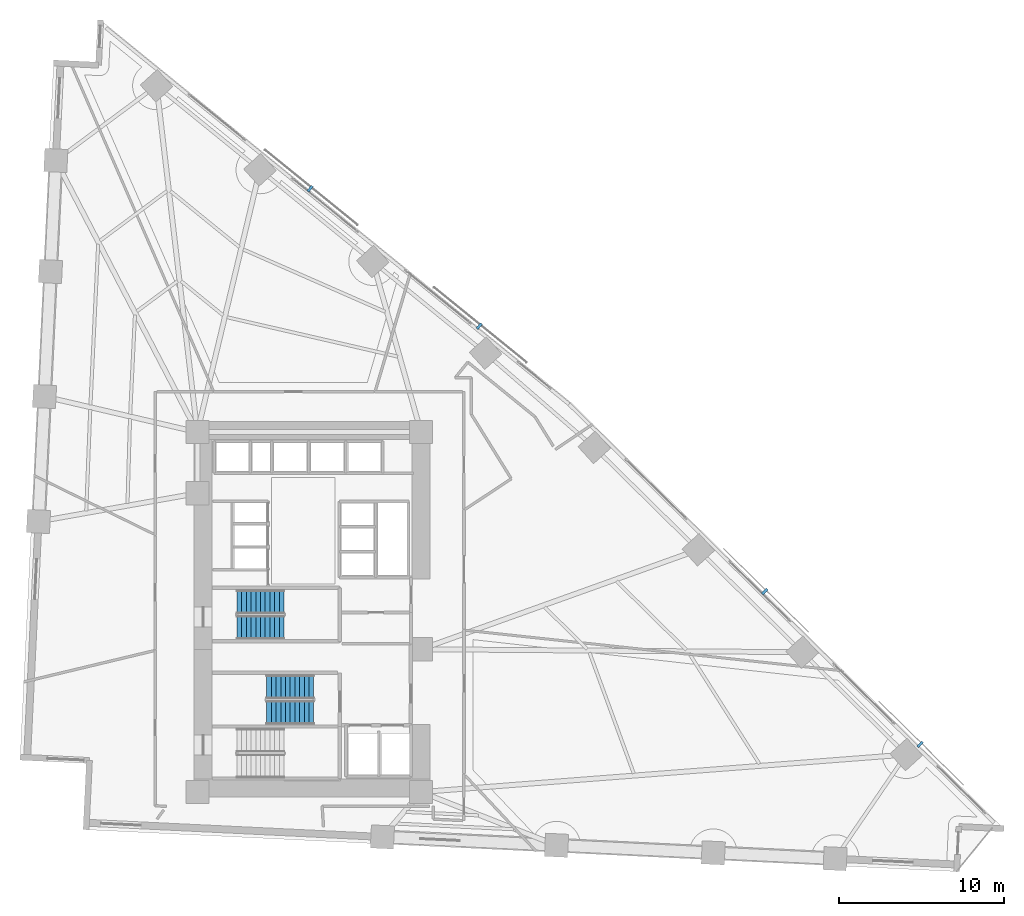
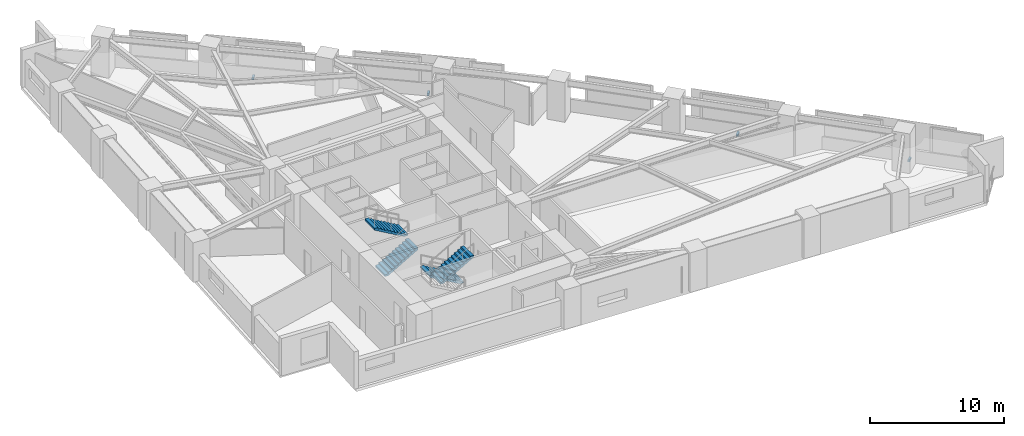
# One storey, part 15 of 17: 4 discrete accessories, 4 stair flights, 2 elements without a shape of their own.
"""IFC4 building model written with IfcOpenShell, lengths in metres."""

from ifc_helpers import new_model, si_unit, direction, frame, origin, origin_2d, place, context, subcontext, project, spatial, polyline, rectangle, outline, extrude, material, type_object, element, aggregate, save


model = new_model("IFC4")

# Units and contexts
model_context = context("Model", 3, precision=1e-05, world=origin(), true_north=direction((0.0, 1.0)))
body_context = subcontext(model_context, "Body", "Model", "MODEL_VIEW")
ifc_project = project(units=[si_unit("LENGTHUNIT", "METRE"), si_unit("AREAUNIT", "SQUARE_METRE"), si_unit("VOLUMEUNIT", "CUBIC_METRE"), si_unit("PLANEANGLEUNIT", "RADIAN"), si_unit("MASSUNIT", "GRAM", prefix="KILO")], contexts=[model_context])

# Site, building, storey
site_placement = place(None, origin())
site = spatial("IfcSite", under=ifc_project, at=site_placement, CompositionType="ELEMENT")
building_placement = place(site_placement, origin())
building = spatial("IfcBuilding", under=site, at=building_placement, Name="Narakoshi Arena Tower", CompositionType="ELEMENT")
storey_placement = place(building_placement, frame((0.0, 0.0, 48.300048828125)))
storey = spatial("IfcBuildingStorey", under=building, at=storey_placement, Name="L12", CompositionType="ELEMENT", Elevation=48.300048828125)

# Stair, stair flights
ifc_material_1 = material(Name="Concrete C45/55", Category="concrete")
stair_type = type_object("IfcStairType", Name="STR-CORE-360", PredefinedType="TWO_STRAIGHT_RUN_STAIR", material=ifc_material_1)
stair_1_placement = place(storey_placement, origin())
stair_1 = element("IfcStair", 1, at=stair_1_placement, inside=storey, type_object=stair_type, Name="L12 Core Escape Stair ST2", PredefinedType="TWO_STRAIGHT_RUN_STAIR")
ifc_material_2 = material(Name="Precast concrete C45/55", Category="concrete")
stair_flight_type = type_object("IfcStairFlightType", Name="FLT-145-160", PredefinedType="STRAIGHT", material=ifc_material_2)
stair_flight_1_placement = place(storey_placement, frame((79.050048828125, 41.074951171875, 0.0), z_axis=(0.0, 0.0, 1.0), x_axis=(-1.0, 0.0, 0.0)))
stair_flight_1 = element("IfcStairFlight", 2, at=stair_flight_1_placement, type_object=stair_flight_type, Name="ST2 flight 1", NumberOfRisers=11, NumberOfTreads=10, PredefinedType="STRAIGHT", RiserHeight=0.163636364, TreadLength=0.285, context=body_context, shape_type="SweptSolid", body=[
    extrude(outline(polyline([(0.0, 0.0), (0.0, 0.16357421875), (0.284912109375, 0.16357421875), (0.284912109375, 0.327392578125), (0.570068359375, 0.327392578125), (0.570068359375, 0.490966796875), (0.85498046875, 0.490966796875), (0.85498046875, 0.654541015625), (1.139892578125, 0.654541015625), (1.139892578125, 0.818115234375), (1.425048828125, 0.818115234375), (1.425048828125, 0.98193359375), (1.7099609375, 0.98193359375), (1.7099609375, 1.1455078125), (1.9951171875, 1.1455078125), (1.9951171875, 1.30908203125), (2.280029296875, 1.30908203125), (2.280029296875, 1.47265625), (2.56494140625, 1.47265625), (2.56494140625, 1.636474609375), (2.85009765625, 1.636474609375), (2.85009765625, 1.800048828125), (2.85009765625, 1.463623046875), (0.301025390625, 0.0), (0.0, 0.0)])), frame((0.0, 0.72509765625, 0.0), z_axis=(0.0, -1.0, 0.0), x_axis=(1.0, 0.0, 0.0)), (0.0, 0.0, 1.0), 1.449951171875),
])
stair_flight_2_placement = place(storey_placement, frame((76.199951171875, 39.52490234375, 1.800048828125), z_axis=(0.0, 0.0, 1.0), x_axis=(1.0, 0.0, 0.0)))
stair_flight_2 = element("IfcStairFlight", 3, at=stair_flight_2_placement, type_object=stair_flight_type, Name="ST2 flight 2", NumberOfRisers=11, NumberOfTreads=10, PredefinedType="STRAIGHT", RiserHeight=0.163636364, TreadLength=0.285, context=body_context, shape_type="SweptSolid", body=[
    extrude(outline(polyline([(0.0, 0.0), (0.0, 0.16357421875), (0.284912109375, 0.16357421875), (0.284912109375, 0.327392578125), (0.570068359375, 0.327392578125), (0.570068359375, 0.490966796875), (0.85498046875, 0.490966796875), (0.85498046875, 0.654541015625), (1.139892578125, 0.654541015625), (1.139892578125, 0.818115234375), (1.425048828125, 0.818115234375), (1.425048828125, 0.98193359375), (1.7099609375, 0.98193359375), (1.7099609375, 1.1455078125), (1.9951171875, 1.1455078125), (1.9951171875, 1.30908203125), (2.280029296875, 1.30908203125), (2.280029296875, 1.47265625), (2.56494140625, 1.47265625), (2.56494140625, 1.636474609375), (2.85009765625, 1.636474609375), (2.85009765625, 1.800048828125), (2.85009765625, 1.463623046875), (0.301025390625, 0.0), (0.0, 0.0)])), frame((0.0, 0.72509765625, 0.0), z_axis=(0.0, -1.0, 0.0), x_axis=(1.0, 0.0, 0.0)), (0.0, 0.0, 1.0), 1.449951171875),
])
aggregate(stair_1, [stair_flight_1, stair_flight_2])

stair_2_placement = place(storey_placement, origin())
stair_2 = element("IfcStair", 4, at=stair_2_placement, inside=storey, type_object=stair_type, Name="L12 Core Escape Stair ST3", PredefinedType="TWO_STRAIGHT_RUN_STAIR")
stair_flight_3_placement = place(storey_placement, frame((74.39990234375, 44.675048828125, 0.0), z_axis=(0.0, 0.0, 1.0), x_axis=(1.0, 0.0, 0.0)))
stair_flight_3 = element("IfcStairFlight", 5, at=stair_flight_3_placement, type_object=stair_flight_type, Name="ST3 flight 1", NumberOfRisers=11, NumberOfTreads=10, PredefinedType="STRAIGHT", RiserHeight=0.163636364, TreadLength=0.285, context=body_context, shape_type="SweptSolid", body=[
    extrude(outline(polyline([(0.0, 0.0), (0.0, 0.16357421875), (0.284912109375, 0.16357421875), (0.284912109375, 0.327392578125), (0.570068359375, 0.327392578125), (0.570068359375, 0.490966796875), (0.85498046875, 0.490966796875), (0.85498046875, 0.654541015625), (1.139892578125, 0.654541015625), (1.139892578125, 0.818115234375), (1.425048828125, 0.818115234375), (1.425048828125, 0.98193359375), (1.7099609375, 0.98193359375), (1.7099609375, 1.1455078125), (1.9951171875, 1.1455078125), (1.9951171875, 1.30908203125), (2.280029296875, 1.30908203125), (2.280029296875, 1.47265625), (2.56494140625, 1.47265625), (2.56494140625, 1.636474609375), (2.85009765625, 1.636474609375), (2.85009765625, 1.800048828125), (2.85009765625, 1.463623046875), (0.301025390625, 0.0), (0.0, 0.0)])), frame((0.0, 0.72509765625, 0.0), z_axis=(0.0, -1.0, 0.0), x_axis=(1.0, 0.0, 0.0)), (0.0, 0.0, 1.0), 1.449951171875),
])
stair_flight_4_placement = place(storey_placement, frame((77.25, 46.22509765625, 1.800048828125), z_axis=(0.0, 0.0, 1.0), x_axis=(-1.0, 0.0, 0.0)))
stair_flight_4 = element("IfcStairFlight", 6, at=stair_flight_4_placement, type_object=stair_flight_type, Name="ST3 flight 2", NumberOfRisers=11, NumberOfTreads=10, PredefinedType="STRAIGHT", RiserHeight=0.163636364, TreadLength=0.285, context=body_context, shape_type="SweptSolid", body=[
    extrude(outline(polyline([(0.0, 0.0), (0.0, 0.16357421875), (0.284912109375, 0.16357421875), (0.284912109375, 0.327392578125), (0.570068359375, 0.327392578125), (0.570068359375, 0.490966796875), (0.85498046875, 0.490966796875), (0.85498046875, 0.654541015625), (1.139892578125, 0.654541015625), (1.139892578125, 0.818115234375), (1.425048828125, 0.818115234375), (1.425048828125, 0.98193359375), (1.7099609375, 0.98193359375), (1.7099609375, 1.1455078125), (1.9951171875, 1.1455078125), (1.9951171875, 1.30908203125), (2.280029296875, 1.30908203125), (2.280029296875, 1.47265625), (2.56494140625, 1.47265625), (2.56494140625, 1.636474609375), (2.85009765625, 1.636474609375), (2.85009765625, 1.800048828125), (2.85009765625, 1.463623046875), (0.301025390625, 0.0), (0.0, 0.0)])), frame((0.0, 0.72509765625, 0.0), z_axis=(0.0, -1.0, 0.0), x_axis=(1.0, 0.0, 0.0)), (0.0, 0.0, 1.0), 1.449951171875),
])
aggregate(stair_2, [stair_flight_3, stair_flight_4])

# Discrete accessories
ifc_material_3 = material(Name="Structural steel S355J2", Category="steel")
discrete_accessory_type = type_object("IfcDiscreteAccessoryType", Name="ACC-BRK-SCR", PredefinedType="BRACKET", material=ifc_material_3)
for number, where, z_axis, x_axis, name in (
    (7, (115.783203125, 37.58740234375, -0.080078125), (0.0, 0.0, 1.0), (-0.712540559713, 0.70163092204, 0.0), "L12 Solar Screen Support Bracket SHD-L12-SCR1-1"),
    (8, (106.377685546875, 46.848876953125, -0.080078125), (0.0, 0.0, 1.0), (-0.712540559713, 0.70163092204, 0.0), "L12 Solar Screen Support Bracket SHD-L12-SCR1-2"),
    (9, (89.077392578125, 62.923095703125, -0.080078125), (0.0, 0.0, 1.0), (-0.776002375698, 0.630729984154, 0.0), "L12 Solar Screen Support Bracket SHD-L12-SCR2-1"),
    (10, (78.833984375, 71.248779296875, -0.080078125), (0.0, 0.0, 1.0), (-0.776002375698, 0.630729984154, 0.0), "L12 Solar Screen Support Bracket SHD-L12-SCR2-2"),
):
    element("IfcDiscreteAccessory", number, at=place(storey_placement, frame(where, z_axis=z_axis, x_axis=x_axis)), inside=storey, type_object=discrete_accessory_type, Name=name, PredefinedType="BRACKET", context=body_context, shape_type="SweptSolid", body=[
        extrude(rectangle(XDim=0.159912109375, YDim=0.425048828125, at=origin_2d()), origin(), (0.0, 0.0, 1.0), 0.199951171875),
    ])

save(model, "model.ifc")
